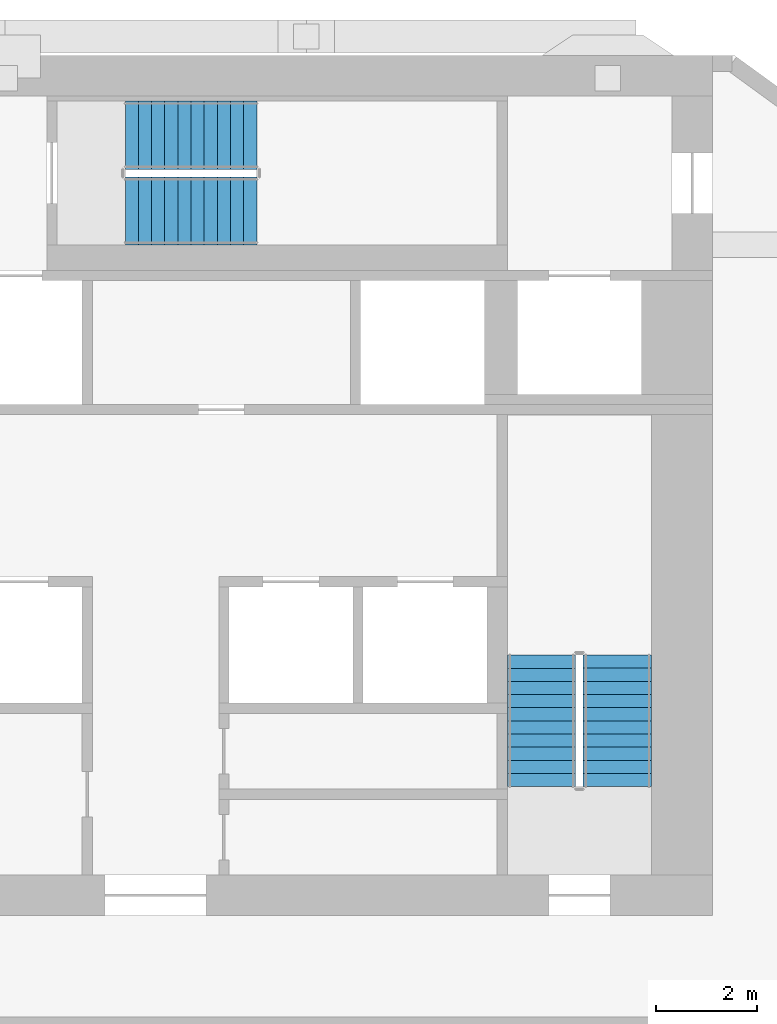
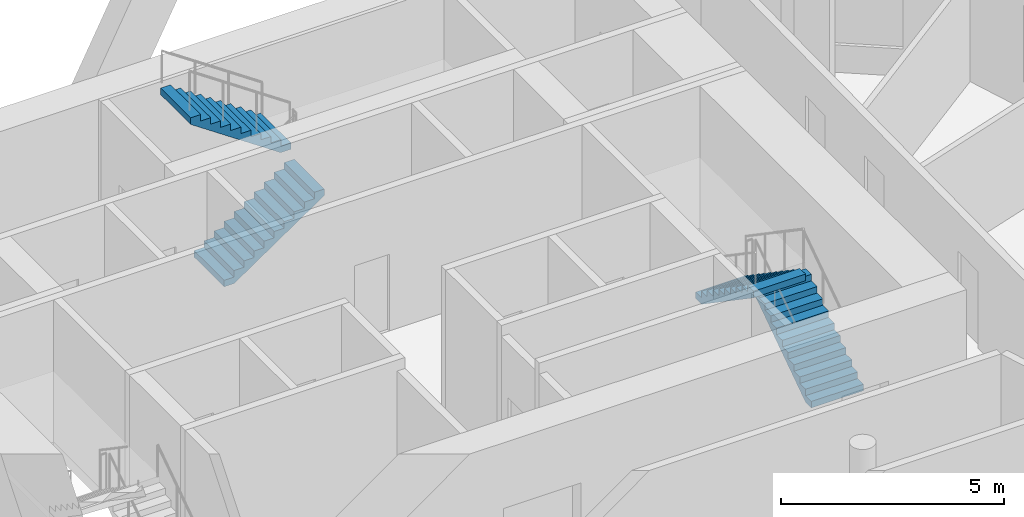
# One storey, part 8 of 10: 4 stair flights, 2 elements without a shape of their own.
"""IFC4 building model written with IfcOpenShell, lengths in metres."""

from ifc_helpers import new_model, si_unit, direction, frame, origin, place, context, subcontext, project, spatial, polyline, outline, extrude, material, layer, layer_set, type_object, element, aggregate, save


model = new_model("IFC4")

# Units and contexts
model_context = context("Model", 3, precision=1e-05, world=origin(), true_north=direction((0.0, 1.0)))
body_context = subcontext(model_context, "Body", "Model", "MODEL_VIEW")
ifc_project = project(units=[si_unit("LENGTHUNIT", "METRE"), si_unit("AREAUNIT", "SQUARE_METRE"), si_unit("VOLUMEUNIT", "CUBIC_METRE"), si_unit("PLANEANGLEUNIT", "RADIAN"), si_unit("MASSUNIT", "GRAM", prefix="KILO")], contexts=[model_context])

# Site, building, storey
site_placement = place(None, origin())
site = spatial("IfcSite", under=ifc_project, at=site_placement, CompositionType="ELEMENT")
building_placement = place(site_placement, origin())
building = spatial("IfcBuilding", under=site, at=building_placement, Name="White Candle Pilgrim Tower", CompositionType="ELEMENT")
storey_placement = place(building_placement, frame((0.0, 0.0, 219.89990234375)))
storey = spatial("IfcBuildingStorey", under=building, at=storey_placement, Name="L51", CompositionType="ELEMENT", Elevation=219.89990234375)

# Stair, stair flights
ifc_material = material(Name="Concrete C40/50", Category="concrete")
stair_type_1 = type_object("IfcStairType", Name="Exit stair 2 flight width 1350 mm", PredefinedType="HALF_TURN_STAIR", material=ifc_material)
stair_1_placement = place(storey_placement, origin())
stair_1 = element("IfcStair", 1, at=stair_1_placement, inside=storey, type_object=stair_type_1, Name="L51 stair 2", PredefinedType="NOTDEFINED")
ifc_layer = layer(ifc_material, 0.14990234375)
ifc_layer_set = layer_set([ifc_layer], Name="Stair flight Concrete C40/50")
stair_flight_type = type_object("IfcStairFlightType", Name="Stair flight Concrete C40/50", PredefinedType="STRAIGHT", material=ifc_layer_set)
stair_flight_1_placement = place(storey_placement, frame((79.125, 73.550048828125, 0.0), z_axis=(0.0, 0.0, 1.0), x_axis=(0.0, 1.0, 0.0)))
stair_flight_1 = element("IfcStairFlight", 2, at=stair_flight_1_placement, type_object=stair_flight_type, Name="ST2 flight 1", NumberOfRisers=11, NumberOfTreads=10, PredefinedType="NOTDEFINED", RiserHeight=0.177272727, TreadLength=0.26, context=body_context, shape_type="SweptSolid", body=[
    extrude(outline(polyline([(0.0, 0.0), (0.0, 0.17724609375), (0.260009765625, 0.17724609375), (0.260009765625, 0.3544921875), (0.52001953125, 0.3544921875), (0.52001953125, 0.53173828125), (0.780029296875, 0.53173828125), (0.780029296875, 0.708984375), (1.0400390625, 0.708984375), (1.0400390625, 0.886474609375), (1.300048828125, 0.886474609375), (1.300048828125, 1.063720703125), (1.56005859375, 1.063720703125), (1.56005859375, 1.240966796875), (1.820068359375, 1.240966796875), (1.820068359375, 1.418212890625), (2.080078125, 1.418212890625), (2.080078125, 1.595458984375), (2.340087890625, 1.595458984375), (2.340087890625, 1.772705078125), (2.60009765625, 1.772705078125), (2.60009765625, 1.949951171875), (2.60009765625, 1.59130859375), (0.26611328125, 0.0), (0.0, 0.0)])), frame((0.0, 0.675048828125, 0.0), z_axis=(0.0, -1.0, 0.0), x_axis=(1.0, 0.0, 0.0)), (0.0, 0.0, 1.0), 1.35009765625),
])
stair_flight_2_placement = place(storey_placement, frame((77.625, 76.14990234375, 1.9501953125), z_axis=(0.0, 0.0, 1.0), x_axis=(0.0, -1.0, 0.0)))
stair_flight_2 = element("IfcStairFlight", 3, at=stair_flight_2_placement, type_object=stair_flight_type, Name="ST2 flight 2", NumberOfRisers=11, NumberOfTreads=10, PredefinedType="NOTDEFINED", RiserHeight=0.177272727, TreadLength=0.26, context=body_context, shape_type="SweptSolid", body=[
    extrude(outline(polyline([(0.0, 0.0), (0.0, 0.17724609375), (0.260009765625, 0.17724609375), (0.260009765625, 0.3544921875), (0.52001953125, 0.3544921875), (0.52001953125, 0.53173828125), (0.780029296875, 0.53173828125), (0.780029296875, 0.708984375), (1.0400390625, 0.708984375), (1.0400390625, 0.886474609375), (1.300048828125, 0.886474609375), (1.300048828125, 1.063720703125), (1.56005859375, 1.063720703125), (1.56005859375, 1.240966796875), (1.820068359375, 1.240966796875), (1.820068359375, 1.418212890625), (2.080078125, 1.418212890625), (2.080078125, 1.595458984375), (2.340087890625, 1.595458984375), (2.340087890625, 1.772705078125), (2.60009765625, 1.772705078125), (2.60009765625, 1.949951171875), (2.60009765625, 1.59130859375), (0.26611328125, 0.0), (0.0, 0.0)])), frame((0.0, 0.675048828125, 0.0), z_axis=(0.0, -1.0, 0.0), x_axis=(1.0, 0.0, 0.0)), (0.0, 0.0, 1.0), 1.35009765625),
])
aggregate(stair_1, [stair_flight_1, stair_flight_2])

stair_type_2 = type_object("IfcStairType", Name="Exit stair 3 flight width 1350 mm", PredefinedType="HALF_TURN_STAIR", material=ifc_material)
stair_2_placement = place(storey_placement, origin())
stair_2 = element("IfcStair", 4, at=stair_2_placement, inside=storey, type_object=stair_type_2, Name="L51 stair 3", PredefinedType="NOTDEFINED")
stair_flight_3_placement = place(storey_placement, frame((69.39990234375, 84.925048828125, 0.0), z_axis=(0.0, 0.0, 1.0), x_axis=(1.0, 0.0, 0.0)))
stair_flight_3 = element("IfcStairFlight", 5, at=stair_flight_3_placement, type_object=stair_flight_type, Name="ST3 flight 1", NumberOfRisers=11, NumberOfTreads=10, PredefinedType="NOTDEFINED", RiserHeight=0.177272727, TreadLength=0.26, context=body_context, shape_type="SweptSolid", body=[
    extrude(outline(polyline([(0.0, 0.0), (0.0, 0.17724609375), (0.260009765625, 0.17724609375), (0.260009765625, 0.3544921875), (0.52001953125, 0.3544921875), (0.52001953125, 0.53173828125), (0.780029296875, 0.53173828125), (0.780029296875, 0.708984375), (1.0400390625, 0.708984375), (1.0400390625, 0.886474609375), (1.300048828125, 0.886474609375), (1.300048828125, 1.063720703125), (1.56005859375, 1.063720703125), (1.56005859375, 1.240966796875), (1.820068359375, 1.240966796875), (1.820068359375, 1.418212890625), (2.080078125, 1.418212890625), (2.080078125, 1.595458984375), (2.340087890625, 1.595458984375), (2.340087890625, 1.772705078125), (2.60009765625, 1.772705078125), (2.60009765625, 1.949951171875), (2.60009765625, 1.59130859375), (0.26611328125, 0.0), (0.0, 0.0)])), frame((0.0, 0.675048828125, 0.0), z_axis=(0.0, -1.0, 0.0), x_axis=(1.0, 0.0, 0.0)), (0.0, 0.0, 1.0), 1.35009765625),
])
stair_flight_4_placement = place(storey_placement, frame((72.0, 86.425048828125, 1.9501953125), z_axis=(0.0, 0.0, 1.0), x_axis=(-1.0, 0.0, 0.0)))
stair_flight_4 = element("IfcStairFlight", 6, at=stair_flight_4_placement, type_object=stair_flight_type, Name="ST3 flight 2", NumberOfRisers=11, NumberOfTreads=10, PredefinedType="NOTDEFINED", RiserHeight=0.177272727, TreadLength=0.26, context=body_context, shape_type="SweptSolid", body=[
    extrude(outline(polyline([(0.0, 0.0), (0.0, 0.17724609375), (0.260009765625, 0.17724609375), (0.260009765625, 0.3544921875), (0.52001953125, 0.3544921875), (0.52001953125, 0.53173828125), (0.780029296875, 0.53173828125), (0.780029296875, 0.708984375), (1.0400390625, 0.708984375), (1.0400390625, 0.886474609375), (1.300048828125, 0.886474609375), (1.300048828125, 1.063720703125), (1.56005859375, 1.063720703125), (1.56005859375, 1.240966796875), (1.820068359375, 1.240966796875), (1.820068359375, 1.418212890625), (2.080078125, 1.418212890625), (2.080078125, 1.595458984375), (2.340087890625, 1.595458984375), (2.340087890625, 1.772705078125), (2.60009765625, 1.772705078125), (2.60009765625, 1.949951171875), (2.60009765625, 1.59130859375), (0.26611328125, 0.0), (0.0, 0.0)])), frame((0.0, 0.675048828125, 0.0), z_axis=(0.0, -1.0, 0.0), x_axis=(1.0, 0.0, 0.0)), (0.0, 0.0, 1.0), 1.35009765625),
])
aggregate(stair_2, [stair_flight_3, stair_flight_4])

save(model, "model.ifc")
